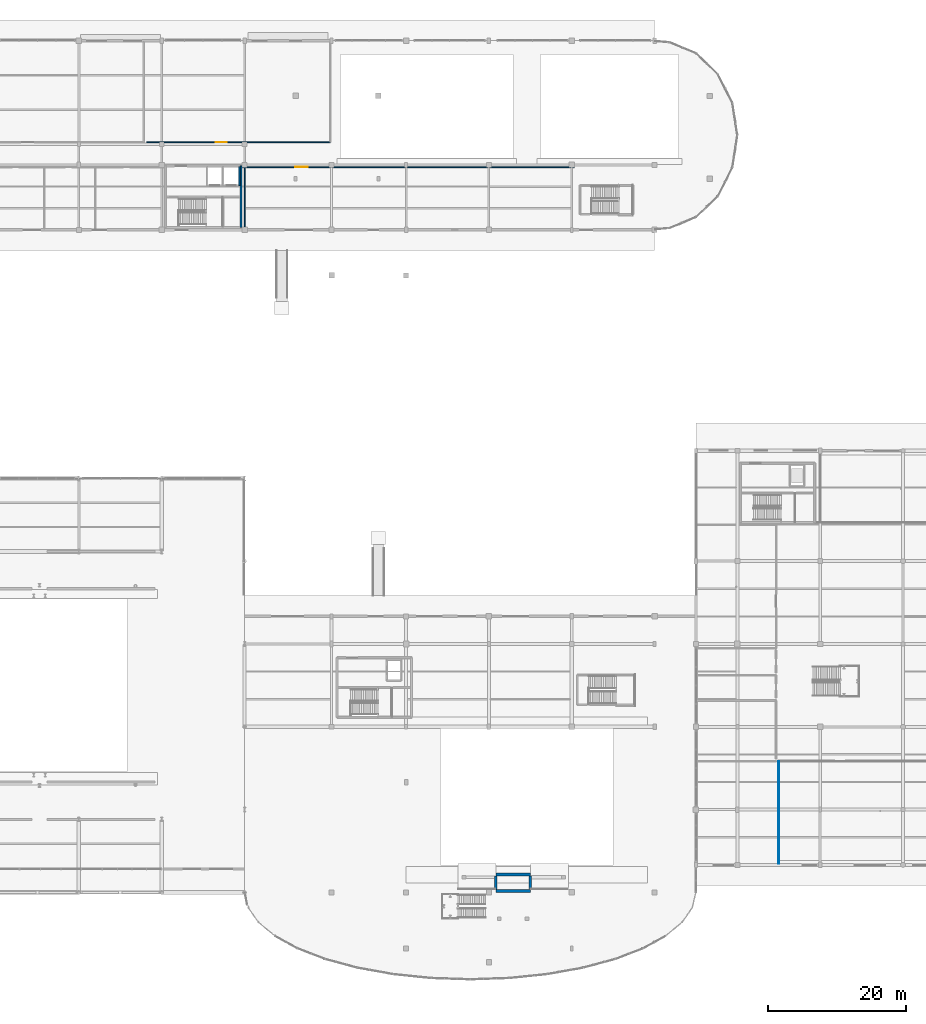
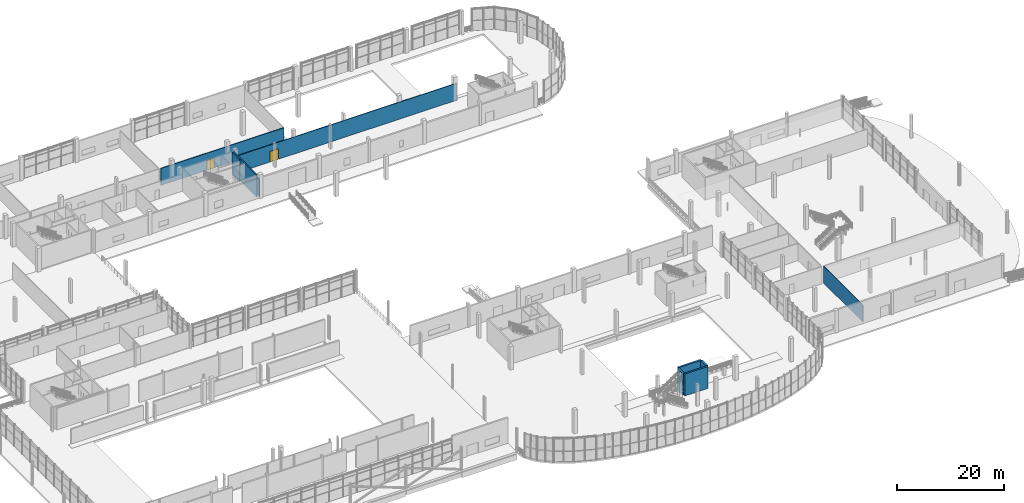
# One storey, part 63 of 85: 10 walls, 2 doors, 2 openings.
"""IFC4 building model written with IfcOpenShell, lengths in metres."""

from ifc_helpers import new_model, si_unit, direction, frame, frame_2d, origin, place, context, subcontext, project, spatial, rectangle, extrude, material, layer, layer_set, type_object, element, fill, save


model = new_model("IFC4")

# Units and contexts
model_context = context("Model", 3, precision=1e-05, world=origin(), true_north=direction((0.0, 1.0)))
body_context = subcontext(model_context, "Body", "Model", "MODEL_VIEW")
ifc_project = project(units=[si_unit("LENGTHUNIT", "METRE"), si_unit("AREAUNIT", "SQUARE_METRE"), si_unit("VOLUMEUNIT", "CUBIC_METRE"), si_unit("PLANEANGLEUNIT", "RADIAN"), si_unit("MASSUNIT", "GRAM", prefix="KILO"), si_unit("THERMODYNAMICTEMPERATUREUNIT", "KELVIN"), si_unit("POWERUNIT", "WATT")], contexts=[model_context])

# Site, building, storey
site_placement = place(None, origin())
site = spatial("IfcSite", under=ifc_project, at=site_placement, CompositionType="ELEMENT")
building_placement = place(site_placement, origin())
building = spatial("IfcBuilding", under=site, at=building_placement, Name="Solmara Park Aquatics Centre", CompositionType="ELEMENT")
storey_placement = place(building_placement, origin())
storey = spatial("IfcBuildingStorey", under=building, at=storey_placement, Name="L00", CompositionType="ELEMENT", Elevation=0.0)

# Walls
ifc_material_1 = material(Name="Concrete C40/50", Category="concrete")
ifc_layer_1 = layer(ifc_material_1, 0.25, Name="Concrete C40/50")
ifc_layer_set_1 = layer_set([ifc_layer_1], Name="Concrete C40/50")
wall_type_1 = type_object("IfcWallType", Name="ARC-WL-CORE250", PredefinedType="SHEAR", material=ifc_layer_set_1)
wall_1_placement = place(storey_placement, frame((96.10009765625, 108.949951171875, 0.0), z_axis=(0.0, 0.0, 1.0), x_axis=(0.0, 1.0, 0.0)))
element("IfcWall", 1, at=wall_1_placement, inside=storey, type_object=wall_type_1, Name="CORE-2 Core Wall E L00", PredefinedType="SHEAR", context=body_context, shape_type="SweptSolid", body=[
    extrude(rectangle(XDim=8.900146484375, YDim=0.25, at=frame_2d((4.4501953125, 0.0))), origin(), (0.0, 0.0, 1.0), 5.080078125),
])
ifc_material_2 = material(Name="Concrete C25/30 Autoclaved Aerated Fire Blockwork", Category="masonry")
ifc_layer_2 = layer(ifc_material_2, 0.199951171875, Name="Concrete C25/30 Autoclaved Aerated Fire Blockwork")
ifc_layer_set_2 = layer_set([ifc_layer_2], Name="Concrete C25/30 Autoclaved Aerated Fire Blockwork")
wall_type_2 = type_object("IfcWallType", Name="ARC-WL-FIRE200", PredefinedType="SOLIDWALL", material=ifc_layer_set_2)
wall_2_placement = place(storey_placement, frame((95.85009765625, 115.0, 0.0), z_axis=(0.0, 0.0, 1.0), x_axis=(0.0, 1.0, 0.0)))
element("IfcWall", 2, at=wall_2_placement, inside=storey, type_object=wall_type_2, Name="LF-03 Lift Shaft E Wall L00", PredefinedType="SOLIDWALL", context=body_context, shape_type="SweptSolid", body=[
    extrude(rectangle(XDim=2.75, YDim=0.199951171875, at=frame_2d((1.375, 0.0))), origin(), (0.0, 0.0, 1.0), 5.080078125),
])
ifc_material_3 = material(Name="Acoustic Laminated Glass Framed Partition", Category="glass")
ifc_layer_3 = layer(ifc_material_3, 0.10009765625, Name="Acoustic Laminated Glass Framed Partition")
ifc_layer_set_3 = layer_set([ifc_layer_3], Name="Acoustic Laminated Glass Framed Partition")
wall_type_3 = type_object("IfcWallType", Name="ARC-WL-GLZ100", PredefinedType="PARTITIONING", material=ifc_layer_set_3)
wall_3_placement = place(storey_placement, frame((174.0, 16.77490234375, 0.0), z_axis=(0.0, 0.0, 1.0), x_axis=(0.0, 1.0, 0.0)))
element("IfcWall", 3, at=wall_3_placement, inside=storey, type_object=wall_type_3, Name="Interior Partition IW-L00-0050 (L00-CAF-01)", PredefinedType="PARTITIONING", context=body_context, shape_type="SweptSolid", body=[
    extrude(rectangle(XDim=14.8251953125, YDim=0.10009765625, at=frame_2d((7.41259765625, 0.0))), origin(), (0.0, 0.0, 1.0), 3.89990234375),
])

# Wall, opening, door
ifc_material_4 = material(Name="Cement-Rendered Masonry Partition", Category="masonry")
ifc_layer_4 = layer(ifc_material_4, 0.14990234375, Name="Cement-Rendered Masonry Partition")
ifc_layer_set_4 = layer_set([ifc_layer_4], Name="Cement-Rendered Masonry Partition")
wall_type_4 = type_object("IfcWallType", Name="ARC-WL-MAS150", PredefinedType="PARTITIONING", material=ifc_layer_set_4)
wall_4_placement = place(storey_placement, frame((82.39990234375, 121.300048828125, 0.0), z_axis=(0.0, 0.0, 1.0), x_axis=(1.0, 0.0, 0.0)))
wall_4 = element("IfcWall", 4, at=wall_4_placement, inside=storey, type_object=wall_type_4, Name="Interior Partition IW-L00-0077 (L00-TRN-01)", PredefinedType="PARTITIONING", context=body_context, shape_type="SweptSolid", body=[
    extrude(rectangle(XDim=26.60009765625, YDim=0.14990234375, at=frame_2d((13.300048828125, 0.0))), origin(), (0.0, 0.0, 1.0), 3.89990234375),
])
opening_1_placement = place(wall_4_placement, frame((10.0, 0.0, 0.0)))
opening_1 = element("IfcOpeningElement", 5, at=opening_1_placement, cuts=wall_4, Name="Opening D-19", PredefinedType="OPENING", context=body_context, shape_type="SweptSolid", body=[
    extrude(rectangle(XDim=1.60009765625, YDim=2.199951171875, at=frame_2d((0.800048828125, 1.10009765625))), frame((0.0, 0.0849609375, 0.0), z_axis=(0.0, -1.0, 0.0), x_axis=(1.0, 0.0, 0.0)), (0.0, 0.0, 1.0), 0.169921875),
])
ifc_material_5 = material(Name="Moisture-Resistant HPL & Hardwood", Category="wood")
door_type_1 = type_object("IfcDoorType", Name="ARC-DR-DBL160x220", OperationType="DOUBLE_DOOR_SINGLE_SWING", PredefinedType="DOOR", material=ifc_material_5)
door_1_placement = place(opening_1_placement, origin())
door_1 = element("IfcDoor", 6, at=door_1_placement, inside=storey, type_object=door_type_1, Name="Swim Coaching Classroom and Poolside Dry-Land Studio Door", OperationType="DOUBLE_DOOR_SINGLE_SWING", OverallHeight=2.199951171875, OverallWidth=1.60009765625, PredefinedType="DOOR", context=body_context, shape_type="SweptSolid", body=[
    extrude(rectangle(XDim=1.60009765625, YDim=2.199951171875, at=frame_2d((0.800048828125, 1.10009765625))), frame((0.0, 0.02490234375, 0.0), z_axis=(0.0, -1.0, 0.0), x_axis=(1.0, 0.0, 0.0)), (0.0, 0.0, 1.0), 0.050048828125),
])
fill(opening_1, door_1)

# Wall
wall_5_placement = place(storey_placement, frame((96.60009765625, 108.77490234375, 0.0), z_axis=(0.0, 0.0, 1.0), x_axis=(0.0, 1.0, 0.0)))
element("IfcWall", 7, at=wall_5_placement, inside=storey, type_object=wall_type_4, Name="Interior Partition IW-L00-0085 (L00-LOG-01)", PredefinedType="PARTITIONING", context=body_context, shape_type="SweptSolid", body=[
    extrude(rectangle(XDim=8.925048828125, YDim=0.14990234375, at=frame_2d((4.46240234375, 0.0))), origin(), (0.0, 0.0, 1.0), 3.89990234375),
])

# Wall, opening, door
wall_6_placement = place(storey_placement, frame((96.110107421875, 117.699951171875, 0.0), z_axis=(0.0, 0.0, 1.0), x_axis=(1.0, 0.0, 0.0)))
wall_6 = element("IfcWall", 8, at=wall_6_placement, inside=storey, type_object=wall_type_4, Name="Interior Partition IW-L00-0086 (L00-LOG-01)", PredefinedType="PARTITIONING", context=body_context, shape_type="SweptSolid", body=[
    extrude(rectangle(XDim=48.289794921875, YDim=0.14990234375, at=frame_2d((24.14501953125, 0.0))), origin(), (0.0, 0.0, 1.0), 3.89990234375),
])
opening_2_placement = place(wall_6_placement, frame((7.840087890625, 0.0, 0.0)))
opening_2 = element("IfcOpeningElement", 9, at=opening_2_placement, cuts=wall_6, Name="Opening D-20", PredefinedType="OPENING", context=body_context, shape_type="SweptSolid", body=[
    extrude(rectangle(XDim=1.800048828125, YDim=2.39990234375, at=frame_2d((0.89990234375, 1.199951171875))), frame((0.0, 0.0849609375, 0.0), z_axis=(0.0, -1.0, 0.0), x_axis=(1.0, 0.0, 0.0)), (0.0, 0.0, 1.0), 0.169921875),
])
door_type_2 = type_object("IfcDoorType", Name="ARC-DR-DBL180x240", OperationType="DOUBLE_DOOR_SINGLE_SWING", PredefinedType="DOOR", material=ifc_material_5)
door_2_placement = place(opening_2_placement, origin())
door_2 = element("IfcDoor", 10, at=door_2_placement, inside=storey, type_object=door_type_2, Name="Pool Equipment Marshalling and Service Bay Door", OperationType="DOUBLE_DOOR_SINGLE_SWING", OverallHeight=2.39990234375, OverallWidth=1.800048828125, PredefinedType="DOOR", context=body_context, shape_type="SweptSolid", body=[
    extrude(rectangle(XDim=1.800048828125, YDim=2.39990234375, at=frame_2d((0.89990234375, 1.199951171875))), frame((0.0, 0.02490234375, 0.0), z_axis=(0.0, -1.0, 0.0), x_axis=(1.0, 0.0, 0.0)), (0.0, 0.0, 1.0), 0.050048828125),
])
fill(opening_2, door_2)

# Walls
ifc_layer_5 = layer(ifc_material_1, 0.39990234375, Name="Concrete C40/50")
ifc_layer_set_5 = layer_set([ifc_layer_5], Name="Concrete C40/50")
wall_type_5 = type_object("IfcWallType", Name="STR-WL-CORE400", PredefinedType="SHEAR", material=ifc_layer_set_5)
for number, where, z_axis, x_axis, name in (
    (11, (133.0, 12.800048828125, 0.0), (0.0, 0.0, 1.0), (1.0, 0.0, 0.0), "Diving Tower Core Wall S L00"),
    (12, (133.0, 15.199951171875, 0.0), (0.0, 0.0, 1.0), (1.0, 0.0, 0.0), "Diving Tower Core Wall N L00"),
):
    element("IfcWall", number, at=place(storey_placement, frame(where, z_axis=z_axis, x_axis=x_axis)), inside=storey, type_object=wall_type_5, Name=name, PredefinedType="SHEAR", context=body_context, shape_type="SweptSolid", body=[
        extrude(rectangle(XDim=5.0, YDim=0.39990234375, at=frame_2d((2.5, 0.0))), origin(), (0.0, 0.0, 1.0), 5.0),
    ])
for number, where, z_axis, x_axis, name in (
    (13, (133.0, 13.0, 0.0), (0.0, 0.0, 1.0), (0.0, 1.0, 0.0), "Diving Tower Core Wall W L00"),
    (14, (138.0, 13.0, 0.0), (0.0, 0.0, 1.0), (0.0, 1.0, 0.0), "Diving Tower Core Wall E L00"),
):
    element("IfcWall", number, at=place(storey_placement, frame(where, z_axis=z_axis, x_axis=x_axis)), inside=storey, type_object=wall_type_5, Name=name, PredefinedType="SHEAR", context=body_context, shape_type="SweptSolid", body=[
        extrude(rectangle(XDim=2.0, YDim=0.39990234375, at=frame_2d((1.0, 0.0))), origin(), (0.0, 0.0, 1.0), 5.0),
    ])

save(model, "model.ifc")
